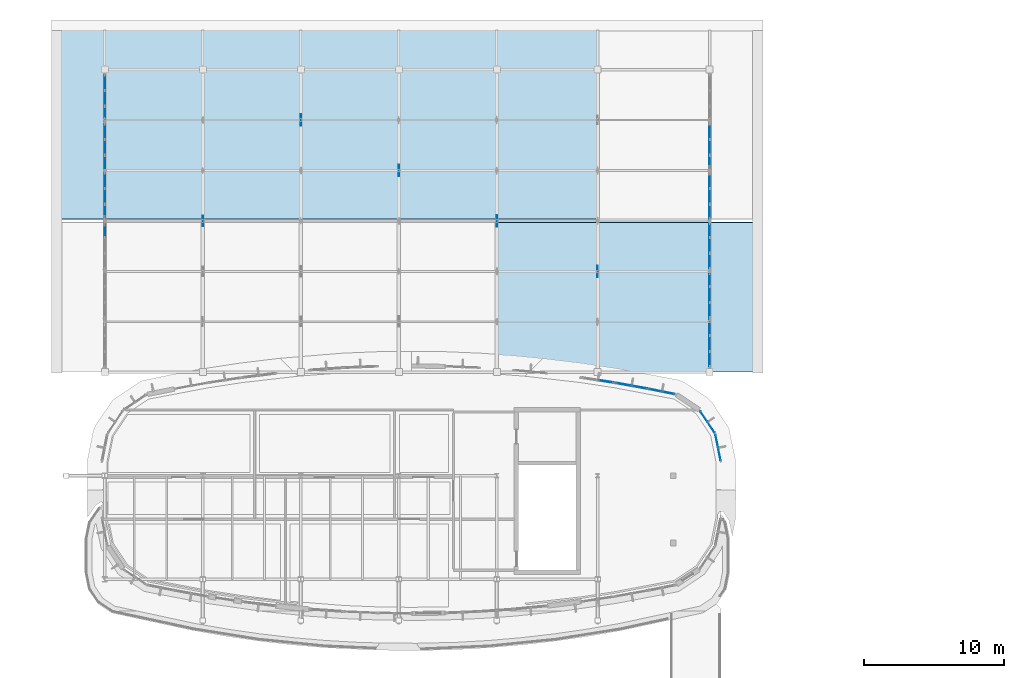
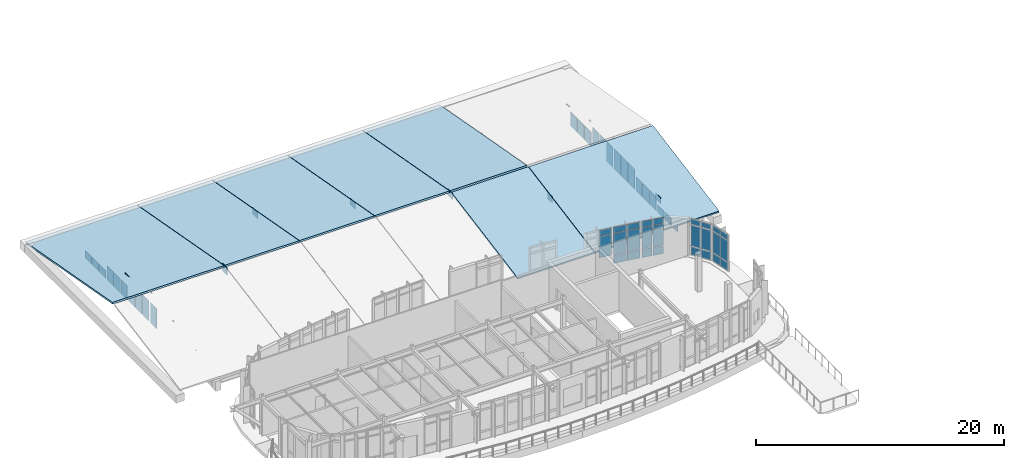
# One storey, part 69 of 105: 58 plates, 7 slabs, 14 elements without a shape of their own.
"""IFC4 building model written with IfcOpenShell, lengths in metres."""

from ifc_helpers import new_model, si_unit, direction, frame, origin, origin_2d, place, context, subcontext, project, spatial, polyline, rectangle, outline, extrude, material, layer, layer_set, type_object, element, aggregate, save


model = new_model("IFC4")

# Units and contexts
model_context = context("Model", 3, precision=1e-05, world=origin(), true_north=direction((0.0, 1.0)))
body_context = subcontext(model_context, "Body", "Model", "MODEL_VIEW")
ifc_project = project(units=[si_unit("LENGTHUNIT", "METRE"), si_unit("AREAUNIT", "SQUARE_METRE"), si_unit("VOLUMEUNIT", "CUBIC_METRE"), si_unit("PLANEANGLEUNIT", "RADIAN"), si_unit("MASSUNIT", "GRAM", prefix="KILO")], contexts=[model_context])

# Site, building, storey
site_placement = place(None, origin())
site = spatial("IfcSite", under=ifc_project, at=site_placement, CompositionType="ELEMENT")
building_placement = place(site_placement, origin())
building = spatial("IfcBuilding", under=site, at=building_placement, Name="Corveleigh Park Community Centre", CompositionType="ELEMENT")
storey_placement = place(building_placement, frame((0.0, 0.0, 8.699951171875)))
storey = spatial("IfcBuildingStorey", under=building, at=storey_placement, Name="L02", CompositionType="ELEMENT", Elevation=8.699951171875)

# Curtain wall, plates
ifc_material_1 = material(Name="Anodised aluminium 6063-T6", Category="aluminium")
curtain_wall_type = type_object("IfcCurtainWallType", Name="CW-SYS-V2-HALL", PredefinedType="NOTDEFINED", material=ifc_material_1)
curtain_wall_1_placement = place(storey_placement, origin())
curtain_wall_1 = element("IfcCurtainWall", 1, at=curtain_wall_1_placement, inside=storey, type_object=curtain_wall_type, Name="V2 L02 Curtain Wall 314", PredefinedType="NOTDEFINED")
ifc_material_2 = material(Name="Low-E double glazing", Category="glass")
ifc_layer_1 = layer(ifc_material_2, 0.02392578125, Name="Low-E double glazing", Category="glass")
ifc_layer_set_1 = layer_set([ifc_layer_1], Name="Low-E double glazing")
plate_type_1 = type_object("IfcPlateType", Name="CWP-GLZ-24", PredefinedType="CURTAIN_PANEL", material=ifc_layer_set_1)
plate_1_placement = place(storey_placement, frame((54.912353515625, 87.861083984375, 0.074951171875), z_axis=(0.0, 0.0, 1.0), x_axis=(0.195033154312, -0.980796650035, 0.0)))
plate_1 = element("IfcPlate", 2, at=plate_1_placement, type_object=plate_type_1, Name="CW04 panel 1.1", PredefinedType="CURTAIN_PANEL", context=body_context, shape_type="SweptSolid", body=[
    extrude(rectangle(XDim=0.879150390625, YDim=0.02392578125, at=origin_2d()), origin(), (0.0, 0.0, 1.0), 0.78759765625),
])
plate_2_placement = place(storey_placement, frame((54.912353515625, 87.861083984375, 0.9375), z_axis=(0.0, 0.0, 1.0), x_axis=(0.195033154312, -0.980796650035, 0.0)))
plate_2 = element("IfcPlate", 3, at=plate_2_placement, type_object=plate_type_1, Name="CW04 panel 1.2", PredefinedType="CURTAIN_PANEL", context=body_context, shape_type="SweptSolid", body=[
    extrude(rectangle(XDim=0.879150390625, YDim=0.02392578125, at=origin_2d()), origin(), (0.0, 0.0, 1.0), 2.054931640625),
])
plate_3_placement = place(storey_placement, frame((54.912353515625, 87.861083984375, 3.0673828125), z_axis=(0.0, 0.0, 1.0), x_axis=(0.195033154312, -0.980796650035, 0.0)))
plate_3 = element("IfcPlate", 4, at=plate_3_placement, type_object=plate_type_1, Name="CW04 panel 1.3", PredefinedType="CURTAIN_PANEL", context=body_context, shape_type="SweptSolid", body=[
    extrude(rectangle(XDim=0.879150390625, YDim=0.02392578125, at=origin_2d()), origin(), (0.0, 0.0, 1.0), 0.53759765625),
])
plate_4_placement = place(storey_placement, frame((55.0966796875, 86.93505859375, 0.074951171875), z_axis=(0.0, 0.0, 1.0), x_axis=(0.195033154312, -0.980796650035, 0.0)))
plate_4 = element("IfcPlate", 5, at=plate_4_placement, type_object=plate_type_1, Name="CW04 panel 2.1", PredefinedType="CURTAIN_PANEL", context=body_context, shape_type="SweptSolid", body=[
    extrude(rectangle(XDim=0.879150390625, YDim=0.02392578125, at=origin_2d()), origin(), (0.0, 0.0, 1.0), 0.78759765625),
])
plate_5_placement = place(storey_placement, frame((55.0966796875, 86.93505859375, 0.9375), z_axis=(0.0, 0.0, 1.0), x_axis=(0.195033154312, -0.980796650035, 0.0)))
plate_5 = element("IfcPlate", 6, at=plate_5_placement, type_object=plate_type_1, Name="CW04 panel 2.2", PredefinedType="CURTAIN_PANEL", context=body_context, shape_type="SweptSolid", body=[
    extrude(rectangle(XDim=0.879150390625, YDim=0.02392578125, at=origin_2d()), origin(), (0.0, 0.0, 1.0), 2.054931640625),
])
plate_6_placement = place(storey_placement, frame((55.0966796875, 86.93505859375, 3.0673828125), z_axis=(0.0, 0.0, 1.0), x_axis=(0.195033154312, -0.980796650035, 0.0)))
plate_6 = element("IfcPlate", 7, at=plate_6_placement, type_object=plate_type_1, Name="CW04 panel 2.3", PredefinedType="CURTAIN_PANEL", context=body_context, shape_type="SweptSolid", body=[
    extrude(rectangle(XDim=0.879150390625, YDim=0.02392578125, at=origin_2d()), origin(), (0.0, 0.0, 1.0), 0.53759765625),
])
aggregate(curtain_wall_1, [plate_1, plate_2, plate_3, plate_4, plate_5, plate_6])

curtain_wall_2_placement = place(storey_placement, origin())
curtain_wall_2 = element("IfcCurtainWall", 8, at=curtain_wall_2_placement, inside=storey, type_object=curtain_wall_type, Name="V2 L02 Curtain Wall 315", PredefinedType="NOTDEFINED")
ifc_layer_2 = layer(ifc_material_2, 0.028076171875, Name="Low-E double glazing", Category="glass")
ifc_layer_set_2 = layer_set([ifc_layer_2], Name="Low-E double glazing")
plate_type_2 = type_object("IfcPlateType", Name="CWP-GLZ-28", PredefinedType="CURTAIN_PANEL", material=ifc_layer_set_2)
plate_7_placement = place(storey_placement, frame((53.98486328125, 89.62841796875, 0.080078125), z_axis=(0.0, 0.0, 1.0), x_axis=(0.555058272633, -0.831811465407, 0.0)))
plate_7 = element("IfcPlate", 9, at=plate_7_placement, type_object=plate_type_2, Name="CW04 panel 1.1", PredefinedType="CURTAIN_PANEL", context=body_context, shape_type="SweptSolid", body=[
    extrude(rectangle(XDim=0.861572265625, YDim=0.028076171875, at=origin_2d()), origin(), (0.0, 0.0, 1.0), 0.780029296875),
])
plate_8_placement = place(storey_placement, frame((53.98486328125, 89.62841796875, 0.93994140625), z_axis=(0.0, 0.0, 1.0), x_axis=(0.555058272633, -0.831811465407, 0.0)))
plate_8 = element("IfcPlate", 10, at=plate_8_placement, type_object=plate_type_2, Name="CW04 panel 1.2", PredefinedType="CURTAIN_PANEL", context=body_context, shape_type="SweptSolid", body=[
    extrude(rectangle(XDim=0.861572265625, YDim=0.028076171875, at=origin_2d()), origin(), (0.0, 0.0, 1.0), 2.050048828125),
])
plate_9_placement = place(storey_placement, frame((53.98486328125, 89.62841796875, 3.06982421875), z_axis=(0.0, 0.0, 1.0), x_axis=(0.555058272633, -0.831811465407, 0.0)))
plate_9 = element("IfcPlate", 11, at=plate_9_placement, type_object=plate_type_2, Name="CW04 panel 1.3", PredefinedType="CURTAIN_PANEL", context=body_context, shape_type="SweptSolid", body=[
    extrude(rectangle(XDim=0.861572265625, YDim=0.028076171875, at=origin_2d()), origin(), (0.0, 0.0, 1.0), 0.530029296875),
])
plate_10_placement = place(storey_placement, frame((54.501953125, 88.853515625, 0.080078125), z_axis=(0.0, 0.0, 1.0), x_axis=(0.555058272633, -0.831811465407, 0.0)))
plate_10 = element("IfcPlate", 12, at=plate_10_placement, type_object=plate_type_2, Name="CW04 panel 2.1", PredefinedType="CURTAIN_PANEL", context=body_context, shape_type="SweptSolid", body=[
    extrude(rectangle(XDim=0.861572265625, YDim=0.028076171875, at=origin_2d()), origin(), (0.0, 0.0, 1.0), 0.780029296875),
])
plate_11_placement = place(storey_placement, frame((54.501953125, 88.853515625, 0.93994140625), z_axis=(0.0, 0.0, 1.0), x_axis=(0.555058272633, -0.831811465407, 0.0)))
plate_11 = element("IfcPlate", 13, at=plate_11_placement, type_object=plate_type_2, Name="CW04 panel 2.2", PredefinedType="CURTAIN_PANEL", context=body_context, shape_type="SweptSolid", body=[
    extrude(rectangle(XDim=0.861572265625, YDim=0.028076171875, at=origin_2d()), origin(), (0.0, 0.0, 1.0), 2.050048828125),
])
plate_12_placement = place(storey_placement, frame((54.501953125, 88.853515625, 3.06982421875), z_axis=(0.0, 0.0, 1.0), x_axis=(0.555058272633, -0.831811465407, 0.0)))
plate_12 = element("IfcPlate", 14, at=plate_12_placement, type_object=plate_type_2, Name="CW04 panel 2.3", PredefinedType="CURTAIN_PANEL", context=body_context, shape_type="SweptSolid", body=[
    extrude(rectangle(XDim=0.861572265625, YDim=0.028076171875, at=origin_2d()), origin(), (0.0, 0.0, 1.0), 0.530029296875),
])
aggregate(curtain_wall_2, [plate_7, plate_8, plate_9, plate_10, plate_11, plate_12])

curtain_wall_3_placement = place(storey_placement, origin())
curtain_wall_3 = element("IfcCurtainWall", 15, at=curtain_wall_3_placement, inside=storey, type_object=curtain_wall_type, Name="V2 L02 Curtain Wall 316", PredefinedType="NOTDEFINED")
plate_13_placement = place(storey_placement, frame((50.525390625, 91.498291015625, 0.06005859375), z_axis=(0.0, 0.0, 1.0), x_axis=(0.980814284082, -0.194944453986, 0.0)))
plate_13 = element("IfcPlate", 16, at=plate_13_placement, type_object=plate_type_2, Name="CW04 panel 1.1", PredefinedType="CURTAIN_PANEL", context=body_context, shape_type="SweptSolid", body=[
    extrude(rectangle(XDim=0.872314453125, YDim=0.028076171875, at=origin_2d()), origin(), (0.0, 0.0, 1.0), 0.81005859375),
])
plate_14_placement = place(storey_placement, frame((50.525390625, 91.498291015625, 0.93017578125), z_axis=(0.0, 0.0, 1.0), x_axis=(0.980814284082, -0.194944453986, 0.0)))
plate_14 = element("IfcPlate", 17, at=plate_14_placement, type_object=plate_type_2, Name="CW04 panel 1.2", PredefinedType="CURTAIN_PANEL", context=body_context, shape_type="SweptSolid", body=[
    extrude(rectangle(XDim=0.872314453125, YDim=0.028076171875, at=origin_2d()), origin(), (0.0, 0.0, 1.0), 2.070068359375),
])
plate_15_placement = place(storey_placement, frame((50.525390625, 91.498291015625, 3.06005859375), z_axis=(0.0, 0.0, 1.0), x_axis=(0.980814284082, -0.194944453986, 0.0)))
plate_15 = element("IfcPlate", 18, at=plate_15_placement, type_object=plate_type_2, Name="CW04 panel 1.3", PredefinedType="CURTAIN_PANEL", context=body_context, shape_type="SweptSolid", body=[
    extrude(rectangle(XDim=0.872314453125, YDim=0.028076171875, at=origin_2d()), origin(), (0.0, 0.0, 1.0), 0.56005859375),
])
plate_16_placement = place(storey_placement, frame((51.45458984375, 91.313720703125, 0.06005859375), z_axis=(0.0, 0.0, 1.0), x_axis=(0.980814284082, -0.194944453986, 0.0)))
plate_16 = element("IfcPlate", 19, at=plate_16_placement, type_object=plate_type_2, Name="CW04 panel 2.1", PredefinedType="CURTAIN_PANEL", context=body_context, shape_type="SweptSolid", body=[
    extrude(rectangle(XDim=0.872314453125, YDim=0.028076171875, at=origin_2d()), origin(), (0.0, 0.0, 1.0), 0.81005859375),
])
plate_17_placement = place(storey_placement, frame((51.45458984375, 91.313720703125, 0.93017578125), z_axis=(0.0, 0.0, 1.0), x_axis=(0.980814284082, -0.194944453986, 0.0)))
plate_17 = element("IfcPlate", 20, at=plate_17_placement, type_object=plate_type_2, Name="CW04 panel 2.2", PredefinedType="CURTAIN_PANEL", context=body_context, shape_type="SweptSolid", body=[
    extrude(rectangle(XDim=0.872314453125, YDim=0.028076171875, at=origin_2d()), origin(), (0.0, 0.0, 1.0), 2.070068359375),
])
plate_18_placement = place(storey_placement, frame((51.45458984375, 91.313720703125, 3.06005859375), z_axis=(0.0, 0.0, 1.0), x_axis=(0.980814284082, -0.194944453986, 0.0)))
plate_18 = element("IfcPlate", 21, at=plate_18_placement, type_object=plate_type_2, Name="CW04 panel 2.3", PredefinedType="CURTAIN_PANEL", context=body_context, shape_type="SweptSolid", body=[
    extrude(rectangle(XDim=0.872314453125, YDim=0.028076171875, at=origin_2d()), origin(), (0.0, 0.0, 1.0), 0.56005859375),
])
aggregate(curtain_wall_3, [plate_13, plate_14, plate_15, plate_16, plate_17, plate_18])

# Curtain wall, plate
curtain_wall_4_placement = place(storey_placement, origin())
curtain_wall_4 = element("IfcCurtainWall", 22, at=curtain_wall_4_placement, inside=storey, type_object=curtain_wall_type, Name="Sports Hall W Gable Clerestory 3", PredefinedType="NOTDEFINED")
plate_19_placement = place(storey_placement, frame((11.199951171875, 102.972412109375, 0.065185546875), z_axis=(0.0, 0.0, 1.0), x_axis=(0.0, 1.0, 0.0)))
plate_19 = element("IfcPlate", 23, at=plate_19_placement, type_object=plate_type_2, Name="CW04 panel 3.1", PredefinedType="CURTAIN_PANEL", context=body_context, shape_type="SweptSolid", body=[
    extrude(rectangle(XDim=1.034912109375, YDim=0.028076171875, at=origin_2d()), origin(), (0.0, 0.0, 1.0), 2.0048828125),
])
aggregate(curtain_wall_4, [plate_19])

# Curtain wall, plates
curtain_wall_5_placement = place(storey_placement, origin())
curtain_wall_5 = element("IfcCurtainWall", 24, at=curtain_wall_5_placement, inside=storey, type_object=curtain_wall_type, Name="Sports Hall W Gable Clerestory 4", PredefinedType="NOTDEFINED")
plate_20_placement = place(storey_placement, frame((11.199951171875, 104.2275390625, 0.065185546875), z_axis=(0.0, 0.0, 1.0), x_axis=(0.0, 1.0, 0.0)))
plate_20 = element("IfcPlate", 25, at=plate_20_placement, type_object=plate_type_2, Name="CW04 panel 1.1", PredefinedType="CURTAIN_PANEL", context=body_context, shape_type="SweptSolid", body=[
    extrude(rectangle(XDim=1.034912109375, YDim=0.028076171875, at=origin_2d()), origin(), (0.0, 0.0, 1.0), 2.0048828125),
])
plate_21_placement = place(storey_placement, frame((11.199951171875, 105.35009765625, 0.065185546875), z_axis=(0.0, 0.0, 1.0), x_axis=(0.0, 1.0, 0.0)))
plate_21 = element("IfcPlate", 26, at=plate_21_placement, type_object=plate_type_2, Name="CW04 panel 2.1", PredefinedType="CURTAIN_PANEL", context=body_context, shape_type="SweptSolid", body=[
    extrude(rectangle(XDim=1.070068359375, YDim=0.028076171875, at=origin_2d()), origin(), (0.0, 0.0, 1.0), 2.0048828125),
])
plate_22_placement = place(storey_placement, frame((11.199951171875, 106.472412109375, 0.065185546875), z_axis=(0.0, 0.0, 1.0), x_axis=(0.0, 1.0, 0.0)))
plate_22 = element("IfcPlate", 27, at=plate_22_placement, type_object=plate_type_2, Name="CW04 panel 3.1", PredefinedType="CURTAIN_PANEL", context=body_context, shape_type="SweptSolid", body=[
    extrude(rectangle(XDim=1.034912109375, YDim=0.028076171875, at=origin_2d()), origin(), (0.0, 0.0, 1.0), 2.0048828125),
])
aggregate(curtain_wall_5, [plate_20, plate_21, plate_22])

curtain_wall_6_placement = place(storey_placement, origin())
curtain_wall_6 = element("IfcCurtainWall", 28, at=curtain_wall_6_placement, inside=storey, type_object=curtain_wall_type, Name="Sports Hall W Gable Clerestory 5", PredefinedType="NOTDEFINED")
plate_23_placement = place(storey_placement, frame((11.199951171875, 107.7275390625, 0.06494140625), z_axis=(0.0, 0.0, 1.0), x_axis=(0.0, 1.0, 0.0)))
plate_23 = element("IfcPlate", 29, at=plate_23_placement, type_object=plate_type_2, Name="CW04 panel 1.1", PredefinedType="CURTAIN_PANEL", context=body_context, shape_type="SweptSolid", body=[
    extrude(rectangle(XDim=1.034912109375, YDim=0.028076171875, at=origin_2d()), origin(), (0.0, 0.0, 1.0), 1.373046875),
])
plate_24_placement = place(storey_placement, frame((11.199951171875, 108.85009765625, 0.06494140625), z_axis=(0.0, 0.0, 1.0), x_axis=(0.0, 1.0, 0.0)))
plate_24 = element("IfcPlate", 30, at=plate_24_placement, type_object=plate_type_2, Name="CW04 panel 2.1", PredefinedType="CURTAIN_PANEL", context=body_context, shape_type="SweptSolid", body=[
    extrude(rectangle(XDim=1.070068359375, YDim=0.028076171875, at=origin_2d()), origin(), (0.0, 0.0, 1.0), 1.373046875),
])
plate_25_placement = place(storey_placement, frame((11.199951171875, 109.972412109375, 0.06494140625), z_axis=(0.0, 0.0, 1.0), x_axis=(0.0, 1.0, 0.0)))
plate_25 = element("IfcPlate", 31, at=plate_25_placement, type_object=plate_type_2, Name="CW04 panel 3.1", PredefinedType="CURTAIN_PANEL", context=body_context, shape_type="SweptSolid", body=[
    extrude(rectangle(XDim=1.034912109375, YDim=0.028076171875, at=origin_2d()), origin(), (0.0, 0.0, 1.0), 1.373046875),
])
aggregate(curtain_wall_6, [plate_23, plate_24, plate_25])

curtain_wall_7_placement = place(storey_placement, origin())
curtain_wall_7 = element("IfcCurtainWall", 32, at=curtain_wall_7_placement, inside=storey, type_object=curtain_wall_type, Name="Sports Hall W Gable Clerestory 6", PredefinedType="NOTDEFINED")
plate_26_placement = place(storey_placement, frame((11.199951171875, 111.2275390625, 0.06494140625), z_axis=(0.0, 0.0, 1.0), x_axis=(0.0, 1.0, 0.0)))
plate_26 = element("IfcPlate", 33, at=plate_26_placement, type_object=plate_type_2, Name="CW04 panel 1.1", PredefinedType="CURTAIN_PANEL", context=body_context, shape_type="SweptSolid", body=[
    extrude(rectangle(XDim=1.034912109375, YDim=0.028076171875, at=origin_2d()), origin(), (0.0, 0.0, 1.0), 0.740966796875),
])
plate_27_placement = place(storey_placement, frame((11.199951171875, 112.35009765625, 0.06494140625), z_axis=(0.0, 0.0, 1.0), x_axis=(0.0, 1.0, 0.0)))
plate_27 = element("IfcPlate", 34, at=plate_27_placement, type_object=plate_type_2, Name="CW04 panel 2.1", PredefinedType="CURTAIN_PANEL", context=body_context, shape_type="SweptSolid", body=[
    extrude(rectangle(XDim=1.070068359375, YDim=0.028076171875, at=origin_2d()), origin(), (0.0, 0.0, 1.0), 0.740966796875),
])
plate_28_placement = place(storey_placement, frame((11.199951171875, 113.472412109375, 0.06494140625), z_axis=(0.0, 0.0, 1.0), x_axis=(0.0, 1.0, 0.0)))
plate_28 = element("IfcPlate", 35, at=plate_28_placement, type_object=plate_type_2, Name="CW04 panel 3.1", PredefinedType="CURTAIN_PANEL", context=body_context, shape_type="SweptSolid", body=[
    extrude(rectangle(XDim=1.034912109375, YDim=0.028076171875, at=origin_2d()), origin(), (0.0, 0.0, 1.0), 0.740966796875),
])
aggregate(curtain_wall_7, [plate_26, plate_27, plate_28])

curtain_wall_8_placement = place(storey_placement, origin())
curtain_wall_8 = element("IfcCurtainWall", 36, at=curtain_wall_8_placement, inside=storey, type_object=curtain_wall_type, Name="Sports Hall E Gable Clerestory 1", PredefinedType="NOTDEFINED")
plate_29_placement = place(storey_placement, frame((54.39990234375, 95.972412109375, 0.06494140625), z_axis=(0.0, 0.0, 1.0), x_axis=(0.0, -1.0, 0.0)))
plate_29 = element("IfcPlate", 37, at=plate_29_placement, type_object=plate_type_2, Name="CW04 panel 1.1", PredefinedType="CURTAIN_PANEL", context=body_context, shape_type="SweptSolid", body=[
    extrude(rectangle(XDim=1.034912109375, YDim=0.028076171875, at=origin_2d()), origin(), (0.0, 0.0, 1.0), 0.740966796875),
])
plate_30_placement = place(storey_placement, frame((54.39990234375, 94.85009765625, 0.06494140625), z_axis=(0.0, 0.0, 1.0), x_axis=(0.0, -1.0, 0.0)))
plate_30 = element("IfcPlate", 38, at=plate_30_placement, type_object=plate_type_2, Name="CW04 panel 2.1", PredefinedType="CURTAIN_PANEL", context=body_context, shape_type="SweptSolid", body=[
    extrude(rectangle(XDim=1.070068359375, YDim=0.028076171875, at=origin_2d()), origin(), (0.0, 0.0, 1.0), 0.740966796875),
])
plate_31_placement = place(storey_placement, frame((54.39990234375, 93.7275390625, 0.06494140625), z_axis=(0.0, 0.0, 1.0), x_axis=(0.0, -1.0, 0.0)))
plate_31 = element("IfcPlate", 39, at=plate_31_placement, type_object=plate_type_2, Name="CW04 panel 3.1", PredefinedType="CURTAIN_PANEL", context=body_context, shape_type="SweptSolid", body=[
    extrude(rectangle(XDim=1.034912109375, YDim=0.028076171875, at=origin_2d()), origin(), (0.0, 0.0, 1.0), 0.740966796875),
])
aggregate(curtain_wall_8, [plate_29, plate_30, plate_31])

curtain_wall_9_placement = place(storey_placement, origin())
curtain_wall_9 = element("IfcCurtainWall", 40, at=curtain_wall_9_placement, inside=storey, type_object=curtain_wall_type, Name="Sports Hall E Gable Clerestory 2", PredefinedType="NOTDEFINED")
plate_32_placement = place(storey_placement, frame((54.39990234375, 99.472412109375, 0.06494140625), z_axis=(0.0, 0.0, 1.0), x_axis=(0.0, -1.0, 0.0)))
plate_32 = element("IfcPlate", 41, at=plate_32_placement, type_object=plate_type_2, Name="CW04 panel 1.1", PredefinedType="CURTAIN_PANEL", context=body_context, shape_type="SweptSolid", body=[
    extrude(rectangle(XDim=1.034912109375, YDim=0.028076171875, at=origin_2d()), origin(), (0.0, 0.0, 1.0), 1.373046875),
])
plate_33_placement = place(storey_placement, frame((54.39990234375, 98.35009765625, 0.06494140625), z_axis=(0.0, 0.0, 1.0), x_axis=(0.0, -1.0, 0.0)))
plate_33 = element("IfcPlate", 42, at=plate_33_placement, type_object=plate_type_2, Name="CW04 panel 2.1", PredefinedType="CURTAIN_PANEL", context=body_context, shape_type="SweptSolid", body=[
    extrude(rectangle(XDim=1.070068359375, YDim=0.028076171875, at=origin_2d()), origin(), (0.0, 0.0, 1.0), 1.373046875),
])
plate_34_placement = place(storey_placement, frame((54.39990234375, 97.2275390625, 0.06494140625), z_axis=(0.0, 0.0, 1.0), x_axis=(0.0, -1.0, 0.0)))
plate_34 = element("IfcPlate", 43, at=plate_34_placement, type_object=plate_type_2, Name="CW04 panel 3.1", PredefinedType="CURTAIN_PANEL", context=body_context, shape_type="SweptSolid", body=[
    extrude(rectangle(XDim=1.034912109375, YDim=0.028076171875, at=origin_2d()), origin(), (0.0, 0.0, 1.0), 1.373046875),
])
aggregate(curtain_wall_9, [plate_32, plate_33, plate_34])

curtain_wall_10_placement = place(storey_placement, origin())
curtain_wall_10 = element("IfcCurtainWall", 44, at=curtain_wall_10_placement, inside=storey, type_object=curtain_wall_type, Name="Sports Hall E Gable Clerestory 3", PredefinedType="NOTDEFINED")
plate_35_placement = place(storey_placement, frame((54.39990234375, 102.972412109375, 0.065185546875), z_axis=(0.0, 0.0, 1.0), x_axis=(0.0, -1.0, 0.0)))
plate_35 = element("IfcPlate", 45, at=plate_35_placement, type_object=plate_type_2, Name="CW04 panel 1.1", PredefinedType="CURTAIN_PANEL", context=body_context, shape_type="SweptSolid", body=[
    extrude(rectangle(XDim=1.034912109375, YDim=0.028076171875, at=origin_2d()), origin(), (0.0, 0.0, 1.0), 2.0048828125),
])
plate_36_placement = place(storey_placement, frame((54.39990234375, 101.85009765625, 0.065185546875), z_axis=(0.0, 0.0, 1.0), x_axis=(0.0, -1.0, 0.0)))
plate_36 = element("IfcPlate", 46, at=plate_36_placement, type_object=plate_type_2, Name="CW04 panel 2.1", PredefinedType="CURTAIN_PANEL", context=body_context, shape_type="SweptSolid", body=[
    extrude(rectangle(XDim=1.070068359375, YDim=0.028076171875, at=origin_2d()), origin(), (0.0, 0.0, 1.0), 2.0048828125),
])
plate_37_placement = place(storey_placement, frame((54.39990234375, 100.7275390625, 0.065185546875), z_axis=(0.0, 0.0, 1.0), x_axis=(0.0, -1.0, 0.0)))
plate_37 = element("IfcPlate", 47, at=plate_37_placement, type_object=plate_type_2, Name="CW04 panel 3.1", PredefinedType="CURTAIN_PANEL", context=body_context, shape_type="SweptSolid", body=[
    extrude(rectangle(XDim=1.034912109375, YDim=0.028076171875, at=origin_2d()), origin(), (0.0, 0.0, 1.0), 2.0048828125),
])
aggregate(curtain_wall_10, [plate_35, plate_36, plate_37])

curtain_wall_11_placement = place(storey_placement, origin())
curtain_wall_11 = element("IfcCurtainWall", 48, at=curtain_wall_11_placement, inside=storey, type_object=curtain_wall_type, Name="Sports Hall E Gable Clerestory 4", PredefinedType="NOTDEFINED")
plate_38_placement = place(storey_placement, frame((54.39990234375, 106.472412109375, 0.065185546875), z_axis=(0.0, 0.0, 1.0), x_axis=(0.0, -1.0, 0.0)))
plate_38 = element("IfcPlate", 49, at=plate_38_placement, type_object=plate_type_2, Name="CW04 panel 1.1", PredefinedType="CURTAIN_PANEL", context=body_context, shape_type="SweptSolid", body=[
    extrude(rectangle(XDim=1.034912109375, YDim=0.028076171875, at=origin_2d()), origin(), (0.0, 0.0, 1.0), 2.0048828125),
])
plate_39_placement = place(storey_placement, frame((54.39990234375, 105.35009765625, 0.065185546875), z_axis=(0.0, 0.0, 1.0), x_axis=(0.0, -1.0, 0.0)))
plate_39 = element("IfcPlate", 50, at=plate_39_placement, type_object=plate_type_2, Name="CW04 panel 2.1", PredefinedType="CURTAIN_PANEL", context=body_context, shape_type="SweptSolid", body=[
    extrude(rectangle(XDim=1.070068359375, YDim=0.028076171875, at=origin_2d()), origin(), (0.0, 0.0, 1.0), 2.0048828125),
])
plate_40_placement = place(storey_placement, frame((54.39990234375, 104.2275390625, 0.065185546875), z_axis=(0.0, 0.0, 1.0), x_axis=(0.0, -1.0, 0.0)))
plate_40 = element("IfcPlate", 51, at=plate_40_placement, type_object=plate_type_2, Name="CW04 panel 3.1", PredefinedType="CURTAIN_PANEL", context=body_context, shape_type="SweptSolid", body=[
    extrude(rectangle(XDim=1.034912109375, YDim=0.028076171875, at=origin_2d()), origin(), (0.0, 0.0, 1.0), 2.0048828125),
])
aggregate(curtain_wall_11, [plate_38, plate_39, plate_40])

curtain_wall_12_placement = place(storey_placement, origin())
curtain_wall_12 = element("IfcCurtainWall", 52, at=curtain_wall_12_placement, inside=storey, type_object=curtain_wall_type, Name="Sports Hall E Gable Clerestory 5", PredefinedType="NOTDEFINED")
plate_41_placement = place(storey_placement, frame((54.39990234375, 109.972412109375, 0.06494140625), z_axis=(0.0, 0.0, 1.0), x_axis=(0.0, -1.0, 0.0)))
plate_41 = element("IfcPlate", 53, at=plate_41_placement, type_object=plate_type_2, Name="CW04 panel 1.1", PredefinedType="CURTAIN_PANEL", context=body_context, shape_type="SweptSolid", body=[
    extrude(rectangle(XDim=1.034912109375, YDim=0.028076171875, at=origin_2d()), origin(), (0.0, 0.0, 1.0), 1.373046875),
])
plate_42_placement = place(storey_placement, frame((54.39990234375, 108.85009765625, 0.06494140625), z_axis=(0.0, 0.0, 1.0), x_axis=(0.0, -1.0, 0.0)))
plate_42 = element("IfcPlate", 54, at=plate_42_placement, type_object=plate_type_2, Name="CW04 panel 2.1", PredefinedType="CURTAIN_PANEL", context=body_context, shape_type="SweptSolid", body=[
    extrude(rectangle(XDim=1.070068359375, YDim=0.028076171875, at=origin_2d()), origin(), (0.0, 0.0, 1.0), 1.373046875),
])
plate_43_placement = place(storey_placement, frame((54.39990234375, 107.7275390625, 0.06494140625), z_axis=(0.0, 0.0, 1.0), x_axis=(0.0, -1.0, 0.0)))
plate_43 = element("IfcPlate", 55, at=plate_43_placement, type_object=plate_type_2, Name="CW04 panel 3.1", PredefinedType="CURTAIN_PANEL", context=body_context, shape_type="SweptSolid", body=[
    extrude(rectangle(XDim=1.034912109375, YDim=0.028076171875, at=origin_2d()), origin(), (0.0, 0.0, 1.0), 1.373046875),
])
aggregate(curtain_wall_12, [plate_41, plate_42, plate_43])

curtain_wall_13_placement = place(storey_placement, origin())
curtain_wall_13 = element("IfcCurtainWall", 56, at=curtain_wall_13_placement, inside=storey, type_object=curtain_wall_type, Name="V2 L02 Curtain Wall 317", PredefinedType="NOTDEFINED")
ifc_layer_3 = layer(ifc_material_2, 0.031982421875, Name="Low-E double glazing", Category="glass")
ifc_layer_set_3 = layer_set([ifc_layer_3], Name="Low-E double glazing")
plate_type_3 = type_object("IfcPlateType", Name="CWP-GLZ-32", PredefinedType="CURTAIN_PANEL", material=ifc_layer_set_3)
plate_44_placement = place(storey_placement, frame((48.24560546875, 91.920654296875, 0.06494140625), z_axis=(0.0, 0.0, 1.0), x_axis=(0.983942713081, -0.178484557805, 0.0)))
plate_44 = element("IfcPlate", 57, at=plate_44_placement, type_object=plate_type_3, Name="CW04 panel 1.1", PredefinedType="CURTAIN_PANEL", context=body_context, shape_type="SweptSolid", body=[
    extrude(rectangle(XDim=1.08740234375, YDim=0.031982421875, at=origin_2d()), origin(), (0.0, 0.0, 1.0), 0.802490234375),
])
plate_45_placement = place(storey_placement, frame((48.24560546875, 91.920654296875, 0.9326171875), z_axis=(0.0, 0.0, 1.0), x_axis=(0.983942713081, -0.178484557805, 0.0)))
plate_45 = element("IfcPlate", 58, at=plate_45_placement, type_object=plate_type_3, Name="CW04 panel 1.2", PredefinedType="CURTAIN_PANEL", context=body_context, shape_type="SweptSolid", body=[
    extrude(rectangle(XDim=1.08740234375, YDim=0.031982421875, at=origin_2d()), origin(), (0.0, 0.0, 1.0), 2.06494140625),
])
plate_46_placement = place(storey_placement, frame((48.24560546875, 91.920654296875, 3.0625), z_axis=(0.0, 0.0, 1.0), x_axis=(0.983942713081, -0.178484557805, 0.0)))
plate_46 = element("IfcPlate", 59, at=plate_46_placement, type_object=plate_type_3, Name="CW04 panel 1.3", PredefinedType="CURTAIN_PANEL", context=body_context, shape_type="SweptSolid", body=[
    extrude(rectangle(XDim=1.08740234375, YDim=0.031982421875, at=origin_2d()), origin(), (0.0, 0.0, 1.0), 0.552490234375),
])
plate_47_placement = place(storey_placement, frame((49.394287109375, 91.71240234375, 0.06494140625), z_axis=(0.0, 0.0, 1.0), x_axis=(0.983942713081, -0.178484557805, 0.0)))
plate_47 = element("IfcPlate", 60, at=plate_47_placement, type_object=plate_type_3, Name="CW04 panel 2.1", PredefinedType="CURTAIN_PANEL", context=body_context, shape_type="SweptSolid", body=[
    extrude(rectangle(XDim=1.08740234375, YDim=0.031982421875, at=origin_2d()), origin(), (0.0, 0.0, 1.0), 0.802490234375),
])
plate_48_placement = place(storey_placement, frame((49.394287109375, 91.71240234375, 0.9326171875), z_axis=(0.0, 0.0, 1.0), x_axis=(0.983942713081, -0.178484557805, 0.0)))
plate_48 = element("IfcPlate", 61, at=plate_48_placement, type_object=plate_type_3, Name="CW04 panel 2.2", PredefinedType="CURTAIN_PANEL", context=body_context, shape_type="SweptSolid", body=[
    extrude(rectangle(XDim=1.08740234375, YDim=0.031982421875, at=origin_2d()), origin(), (0.0, 0.0, 1.0), 2.06494140625),
])
plate_49_placement = place(storey_placement, frame((49.394287109375, 91.71240234375, 3.0625), z_axis=(0.0, 0.0, 1.0), x_axis=(0.983942713081, -0.178484557805, 0.0)))
plate_49 = element("IfcPlate", 62, at=plate_49_placement, type_object=plate_type_3, Name="CW04 panel 2.3", PredefinedType="CURTAIN_PANEL", context=body_context, shape_type="SweptSolid", body=[
    extrude(rectangle(XDim=1.08740234375, YDim=0.031982421875, at=origin_2d()), origin(), (0.0, 0.0, 1.0), 0.552490234375),
])
aggregate(curtain_wall_13, [plate_44, plate_45, plate_46, plate_47, plate_48, plate_49])

curtain_wall_14_placement = place(storey_placement, origin())
curtain_wall_14 = element("IfcCurtainWall", 63, at=curtain_wall_14_placement, inside=storey, type_object=curtain_wall_type, Name="V2 L02 Curtain Wall 318", PredefinedType="NOTDEFINED")
plate_50_placement = place(storey_placement, frame((46.996826171875, 92.129638671875, 0.93505859375), z_axis=(0.0, 0.0, 1.0), x_axis=(0.988429120967, -0.151683462597, 0.0)))
plate_50 = element("IfcPlate", 64, at=plate_50_placement, type_object=plate_type_3, Name="CW04 panel 2.2", PredefinedType="CURTAIN_PANEL", context=body_context, shape_type="SweptSolid", body=[
    extrude(rectangle(XDim=1.078857421875, YDim=0.031982421875, at=origin_2d()), origin(), (0.0, 0.0, 1.0), 2.06005859375),
])
plate_51_placement = place(storey_placement, frame((46.996826171875, 92.129638671875, 3.065185546875), z_axis=(0.0, 0.0, 1.0), x_axis=(0.988429120967, -0.151683462597, 0.0)))
plate_51 = element("IfcPlate", 65, at=plate_51_placement, type_object=plate_type_3, Name="CW04 panel 2.3", PredefinedType="CURTAIN_PANEL", context=body_context, shape_type="SweptSolid", body=[
    extrude(rectangle(XDim=1.078857421875, YDim=0.031982421875, at=origin_2d()), origin(), (0.0, 0.0, 1.0), 0.544921875),
])
aggregate(curtain_wall_14, [plate_50, plate_51])

# Plates
ifc_material_3 = material(Name="Steel S355", Category="steel")
ifc_layer_4 = layer(ifc_material_3, 0.030029296875, Name="Steel S355", Category="steel")
ifc_layer_set_4 = layer_set([ifc_layer_4], Name="Steel S355")
plate_type_4 = type_object("IfcPlateType", Name="PLT-GUS-30", PredefinedType="SHEET", material=ifc_layer_set_4)
for number, where, z_axis, x_axis, name in (
    (66, (11.199951171875, 107.199951171875, 1.775146484375), (0.0, 0.0, 1.0), (0.0, 1.0, 0.0), "V2 Truss 1 Gusset"),
    (67, (18.199951171875, 103.60009765625, 2.425048828125), (0.0, 0.0, 1.0), (0.0, 1.0, 0.0), "V2 Truss 2 Gusset"),
):
    element("IfcPlate", number, at=place(storey_placement, frame(where, z_axis=z_axis, x_axis=x_axis)), inside=storey, type_object=plate_type_4, Name=name, PredefinedType="SHEET", context=body_context, shape_type="SweptSolid", body=[
        extrude(rectangle(XDim=0.75, YDim=0.030029296875, at=origin_2d()), origin(), (0.0, 0.0, 1.0), 0.75),
    ])
ifc_layer_5 = layer(ifc_material_3, 0.031982421875, Name="Steel S355", Category="steel")
ifc_layer_set_5 = layer_set([ifc_layer_5], Name="Steel S355")
plate_type_5 = type_object("IfcPlateType", Name="PLT-NOD-32", PredefinedType="SHEET", material=ifc_layer_set_5)
for number, where, z_axis, x_axis, name in (
    (68, (25.199951171875, 110.800048828125, 1.199951171875), (0.0, 0.0, 1.0), (0.0, 1.0, 0.0), "V2 Truss 3 Gusset"),
    (69, (32.199951171875, 107.199951171875, 1.85009765625), (0.0, 0.0, 1.0), (0.0, 1.0, 0.0), "V2 Truss 4 Gusset"),
    (70, (39.199951171875, 103.60009765625, 2.5), (0.0, 0.0, 1.0), (0.0, 1.0, 0.0), "V2 Truss 5 Gusset"),
    (71, (46.39990234375, 100.0, 1.85009765625), (0.0, 0.0, 1.0), (0.0, 1.0, 0.0), "V2 Truss 6 Gusset"),
    (72, (54.39990234375, 96.39990234375, 1.199951171875), (0.0, 0.0, 1.0), (0.0, 1.0, 0.0), "V2 Truss 7 Gusset"),
):
    element("IfcPlate", number, at=place(storey_placement, frame(where, z_axis=z_axis, x_axis=x_axis)), inside=storey, type_object=plate_type_5, Name=name, PredefinedType="SHEET", context=body_context, shape_type="SweptSolid", body=[
        extrude(rectangle(XDim=0.820068359375, YDim=0.031982421875, at=origin_2d()), origin(), (0.0, 0.0, 1.0), 0.60009765625),
    ])

# Slabs
ifc_material_4 = material(Name="Concrete C32/40", Category="concrete")
ifc_layer_6 = layer(ifc_material_4, 0.162109375, Name="Concrete C32/40", Category="concrete")
ifc_layer_set_6 = layer_set([ifc_layer_6], Name="Concrete C32/40")
slab_type = type_object("IfcSlabType", Name="SLB-ROF-162", PredefinedType="ROOF", material=ifc_layer_set_6)
slab_1_placement = place(storey_placement, frame((7.800048828125, 103.719970703125, 3.09716796875), z_axis=(0.0, 0.179169153638, 0.983818283213), x_axis=(1.0, 0.0, 0.0)))
element("IfcSlab", 73, at=slab_1_placement, inside=storey, type_object=slab_type, Name="Sports Hall North Roof Bay 1", PredefinedType="ROOF", context=body_context, shape_type="SweptSolid", body=[
    extrude(outline(polyline([(0.0, 0.0), (10.385009765625, 0.0), (10.385009765625, 14.31166544192719), (0.0, 14.31166544192719), (0.0, 0.0)])), origin(), (0.0, 0.0, -1.0), 0.162109375),
])
for number, where, z_axis, x_axis, name in (
    (74, (18.215087890625, 103.719970703125, 3.09716796875), (0.0, 0.179169153638, 0.983818283213), (1.0, 0.0, 0.0), "Sports Hall North Roof Bay 2"),
    (75, (25.215087890625, 103.719970703125, 3.09716796875), (0.0, 0.179169153638, 0.983818283213), (1.0, 0.0, 0.0), "Sports Hall North Roof Bay 3"),
    (76, (32.215087890625, 103.719970703125, 3.09716796875), (0.0, 0.179169153638, 0.983818283213), (1.0, 0.0, 0.0), "Sports Hall North Roof Bay 4"),
):
    element("IfcSlab", number, at=place(storey_placement, frame(where, z_axis=z_axis, x_axis=x_axis)), inside=storey, type_object=slab_type, Name=name, PredefinedType="ROOF", context=body_context, shape_type="SweptSolid", body=[
        extrude(outline(polyline([(0.0, 0.0), (6.969970703125, 0.0), (6.969970703125, 14.31166544192719), (0.0, 14.31166544192719), (0.0, 0.0)])), origin(), (0.0, 0.0, -1.0), 0.162109375),
    ])
slab_2_placement = place(storey_placement, frame((39.215087890625, 92.800048828125, 1.14697265625), z_axis=(0.0, -0.179633424332, 0.983733618854), x_axis=(1.0, 0.0, 0.0)))
element("IfcSlab", 77, at=slab_2_placement, inside=storey, type_object=slab_type, Name="Sports Hall South Roof Bay 5", PredefinedType="ROOF", context=body_context, shape_type="SweptSolid", body=[
    extrude(outline(polyline([(0.0, 0.0), (7.169921875, 0.0), (7.169921875, 10.856528064041468), (0.0, 10.856528064041468), (0.0, 0.0)])), origin(), (0.0, 0.0, -1.0), 0.162109375),
])
slab_3_placement = place(storey_placement, frame((39.215087890625, 103.719970703125, 3.09716796875), z_axis=(0.0, 0.179169153638, 0.983818283213), x_axis=(1.0, 0.0, 0.0)))
element("IfcSlab", 78, at=slab_3_placement, inside=storey, type_object=slab_type, Name="Sports Hall North Roof Bay 5", PredefinedType="ROOF", context=body_context, shape_type="SweptSolid", body=[
    extrude(outline(polyline([(0.0, 0.0), (7.169921875, 0.0), (7.169921875, 14.31166544192719), (0.0, 14.31166544192719), (0.0, 0.0)])), origin(), (0.0, 0.0, -1.0), 0.162109375),
])
slab_4_placement = place(storey_placement, frame((46.4150390625, 92.800048828125, 1.14697265625), z_axis=(0.0, -0.179633424332, 0.983733618854), x_axis=(1.0, 0.0, 0.0)))
element("IfcSlab", 79, at=slab_4_placement, inside=storey, type_object=slab_type, Name="Sports Hall South Roof Bay 6", PredefinedType="ROOF", context=body_context, shape_type="SweptSolid", body=[
    extrude(outline(polyline([(0.0, 0.0), (11.5849609375, 0.0), (11.5849609375, 10.856528064041468), (0.0, 10.856528064041468), (0.0, 0.0)])), origin(), (0.0, 0.0, -1.0), 0.162109375),
])

save(model, "model.ifc")
